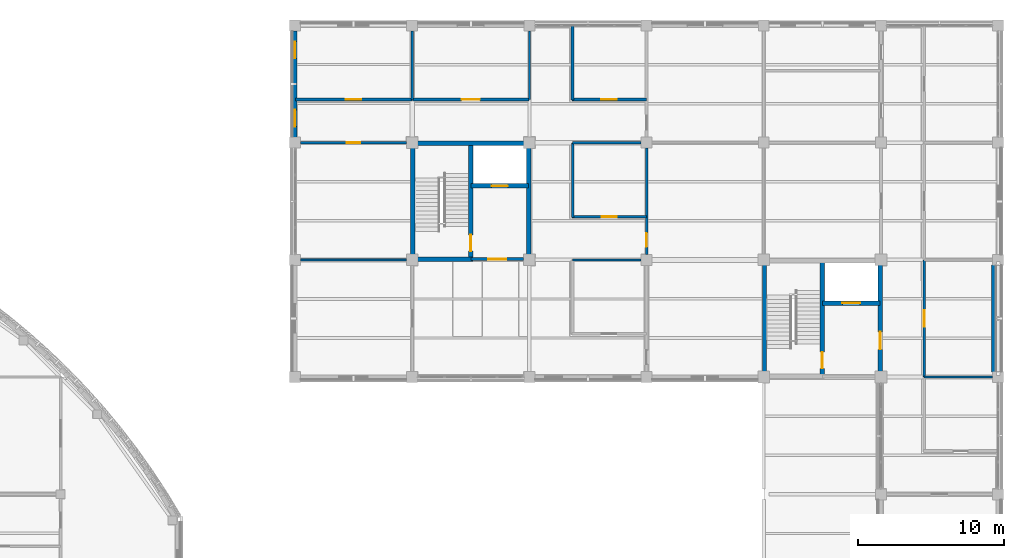
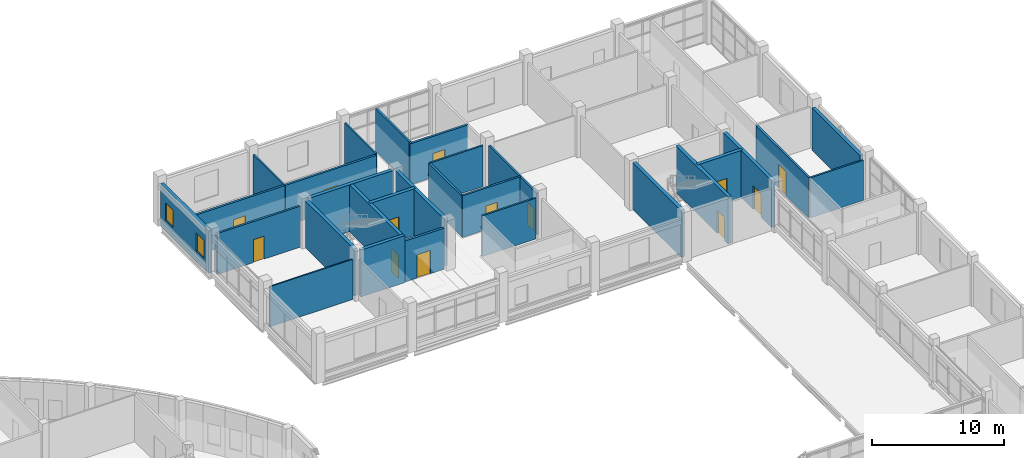
# One storey, part 96 of 121: 28 walls, 13 doors, 2 windows, 15 openings.
"""IFC4 building model written with IfcOpenShell, lengths in metres."""

from ifc_helpers import new_model, si_unit, derived_unit, direction, frame, frame_2d, origin, place, context, subcontext, project, spatial, rectangle, extrude, material, layer, layer_set, type_object, element, fill, save


model = new_model("IFC4")

# Units and contexts
model_context = context("Model", 3, precision=1e-05, world=origin(), true_north=direction((0.0, 1.0)))
body_context = subcontext(model_context, "Body", "Model", "MODEL_VIEW")
ifc_project = project(units=[si_unit("LENGTHUNIT", "METRE"), si_unit("AREAUNIT", "SQUARE_METRE"), si_unit("VOLUMEUNIT", "CUBIC_METRE"), si_unit("PLANEANGLEUNIT", "RADIAN"), si_unit("MASSUNIT", "GRAM", prefix="KILO"), derived_unit("THERMALTRANSMITTANCEUNIT", [(si_unit("MASSUNIT", "GRAM", prefix="KILO"), 1), (si_unit("TIMEUNIT", "SECOND"), -3), (si_unit("THERMODYNAMICTEMPERATUREUNIT", "KELVIN"), -1)])], contexts=[model_context])

# Site, building, storey
site_placement = place(None, origin())
site = spatial("IfcSite", under=ifc_project, at=site_placement, CompositionType="ELEMENT")
building_placement = place(site_placement, origin())
building = spatial("IfcBuilding", under=site, at=building_placement, Name="Veyamyaing Civic Hall", CompositionType="ELEMENT")
storey_placement = place(building_placement, frame((0.0, 0.0, 5.280029296875)))
storey = spatial("IfcBuildingStorey", under=building, at=storey_placement, Name="L01", CompositionType="ELEMENT", Elevation=5.280029296875)

# Wall, openings, windows
ifc_material_1 = material(Name="Precast concrete C40/50", Category="concrete")
ifc_layer_1 = layer(ifc_material_1, 0.280029296875, Name="Precast concrete C40/50")
ifc_layer_set_1 = layer_set([ifc_layer_1], Name="Precast concrete C40/50")
wall_type_1 = type_object("IfcWallType", Name="WT-04", PredefinedType="SOLIDWALL", material=ifc_layer_set_1)
wall_1_placement = place(storey_placement, frame((128.0, 104.360107421875, 0.0), z_axis=(0.0, 0.0, 1.0), x_axis=(0.0, 1.0, 0.0)))
wall_1 = element("IfcWall", 1, at=wall_1_placement, inside=storey, type_object=wall_type_1, Name="Exterior facade wall WT-04 L01 W 17.14", PredefinedType="SOLIDWALL", context=body_context, shape_type="SweptSolid", body=[
    extrude(rectangle(XDim=7.27978515625, YDim=0.280029296875, at=frame_2d((3.639892578125, 0.0))), origin(), (0.0, 0.0, 1.0), 3.9140625),
])
opening_1_placement = place(wall_1_placement, frame((0.7353515625, 0.0, 0.949951171875)))
opening_1 = element("IfcOpeningElement", 2, at=opening_1_placement, cuts=wall_1, Name="Opening W-32", PredefinedType="OPENING", context=body_context, shape_type="SweptSolid", body=[
    extrude(rectangle(XDim=1.14990234375, YDim=1.64990234375, at=frame_2d((0.574951171875, 0.824951171875))), frame((0.0, 0.14990234375, 0.0), z_axis=(0.0, -1.0, 0.0), x_axis=(1.0, 0.0, 0.0)), (0.0, 0.0, 1.0), 0.300048828125),
])
opening_2_placement = place(wall_1_placement, frame((5.39453125, 0.0, 0.949951171875)))
opening_2 = element("IfcOpeningElement", 3, at=opening_2_placement, cuts=wall_1, Name="Opening W-32", PredefinedType="OPENING", context=body_context, shape_type="SweptSolid", body=[
    extrude(rectangle(XDim=1.14990234375, YDim=1.64990234375, at=frame_2d((0.574951171875, 0.824951171875))), frame((0.0, 0.14990234375, 0.0), z_axis=(0.0, -1.0, 0.0), x_axis=(1.0, 0.0, 0.0)), (0.0, 0.0, 1.0), 0.300048828125),
])
ifc_material_2 = material(Name="Low-E insulated glass", Category="glass")
window_type = type_object("IfcWindowType", Name="W-32", PartitioningType="SINGLE_PANEL", PredefinedType="WINDOW", material=ifc_material_2)
window_1_placement = place(opening_1_placement, origin())
window_1 = element("IfcWindow", 4, at=window_1_placement, inside=storey, type_object=window_type, Name="Facade window W-32 L01 W 17.14.1", OverallHeight=1.64990234375, OverallWidth=1.14990234375, PartitioningType="SINGLE_PANEL", PredefinedType="WINDOW", context=body_context, shape_type="SweptSolid", body=[
    extrude(rectangle(XDim=1.14990234375, YDim=1.64990234375, at=frame_2d((0.574951171875, 0.824951171875))), frame((0.0, 0.030029296875, 0.0), z_axis=(0.0, -1.0, 0.0), x_axis=(1.0, 0.0, 0.0)), (0.0, 0.0, 1.0), 0.06005859375),
])
fill(opening_1, window_1)
window_2_placement = place(opening_2_placement, origin())
window_2 = element("IfcWindow", 5, at=window_2_placement, inside=storey, type_object=window_type, Name="Facade window W-32 L01 W 17.14.2", OverallHeight=1.64990234375, OverallWidth=1.14990234375, PartitioningType="SINGLE_PANEL", PredefinedType="WINDOW", context=body_context, shape_type="SweptSolid", body=[
    extrude(rectangle(XDim=1.14990234375, YDim=1.64990234375, at=frame_2d((0.574951171875, 0.824951171875))), frame((0.0, 0.030029296875, 0.0), z_axis=(0.0, -1.0, 0.0), x_axis=(1.0, 0.0, 0.0)), (0.0, 0.0, 1.0), 0.06005859375),
])
fill(opening_2, window_2)

# Walls
wall_2_placement = place(storey_placement, frame((175.699951171875, 88.360107421875, 0.0), z_axis=(0.0, 0.0, 1.0), x_axis=(0.0, 1.0, 0.0)))
element("IfcWall", 6, at=wall_2_placement, inside=storey, type_object=wall_type_1, Name="Exterior facade wall WT-04 L01 E 22.12", PredefinedType="SOLIDWALL", context=body_context, shape_type="SweptSolid", body=[
    extrude(rectangle(XDim=7.27978515625, YDim=0.280029296875, at=frame_2d((3.639892578125, 0.0))), origin(), (0.0, 0.0, 1.0), 3.9140625),
])
ifc_material_3 = material(Name="Concrete C40/50", Category="concrete")
ifc_layer_2 = layer(ifc_material_3, 0.300048828125, Name="Concrete C40/50")
ifc_layer_set_2 = layer_set([ifc_layer_2], Name="Concrete C40/50")
wall_type_2 = type_object("IfcWallType", Name="WT-05", PredefinedType="SHEAR", material=ifc_layer_set_2)
wall_3_placement = place(storey_placement, frame((160.050048828125, 88.2900390625, 0.0), z_axis=(0.0, 0.0, 1.0), x_axis=(0.0, 1.0, 0.0)))
element("IfcWall", 7, at=wall_3_placement, inside=storey, type_object=wall_type_2, Name="Core shear wall WT-05 CORE-3 L01.W", PredefinedType="SHEAR", context=body_context, shape_type="SweptSolid", body=[
    extrude(rectangle(XDim=7.419921875, YDim=0.300048828125, at=frame_2d((3.7099609375, 0.0))), origin(), (0.0, 0.0, 1.0), 4.3349609375),
])

# Wall, opening, door
wall_4_placement = place(storey_placement, frame((167.949951171875, 88.2900390625, 0.0), z_axis=(0.0, 0.0, 1.0), x_axis=(0.0, 1.0, 0.0)))
wall_4 = element("IfcWall", 8, at=wall_4_placement, inside=storey, type_object=wall_type_2, Name="Core shear wall WT-05 CORE-3 L01.E", PredefinedType="SHEAR", context=body_context, shape_type="SweptSolid", body=[
    extrude(rectangle(XDim=7.419921875, YDim=0.300048828125, at=frame_2d((3.7099609375, 0.0))), origin(), (0.0, 0.0, 1.0), 4.3349609375),
])
opening_3_placement = place(wall_4_placement, frame((1.60009765625, 0.0, 0.0)))
opening_3 = element("IfcOpeningElement", 9, at=opening_3_placement, cuts=wall_4, Name="Opening D-04", PredefinedType="OPENING", context=body_context, shape_type="SweptSolid", body=[
    extrude(rectangle(XDim=1.199951171875, YDim=2.14990234375, at=frame_2d((0.60009765625, 1.074951171875))), frame((0.0, 0.159912109375, 0.0), z_axis=(0.0, -1.0, 0.0), x_axis=(1.0, 0.0, 0.0)), (0.0, 0.0, 1.0), 0.320068359375),
])
ifc_material_4 = material(Name="Galvanized steel S355J2", Category="steel")
door_type_1 = type_object("IfcDoorType", Name="D-04", OperationType="NOTDEFINED", PredefinedType="DOOR", material=ifc_material_4)
door_1_placement = place(opening_3_placement, frame((1.199951171875, 0.0, 0.0), z_axis=(0.0, 0.0, 1.0), x_axis=(-1.0, 0.0, 0.0)))
door_1 = element("IfcDoor", 10, at=door_1_placement, inside=storey, type_object=door_type_1, Name="Protected lobby fire door D-04 CORE-3 L01", OperationType="SINGLE_SWING_RIGHT", OverallHeight=2.14990234375, OverallWidth=1.199951171875, PredefinedType="DOOR", context=body_context, shape_type="SweptSolid", body=[
    extrude(rectangle(XDim=1.199951171875, YDim=2.14990234375, at=frame_2d((0.60009765625, 1.074951171875))), frame((0.0, 0.02490234375, 0.0), z_axis=(0.0, -1.0, 0.0), x_axis=(1.0, 0.0, 0.0)), (0.0, 0.0, 1.0), 0.050048828125),
])
fill(opening_3, door_1)

wall_5_placement = place(storey_placement, frame((164.0, 88.050048828125, 0.0), z_axis=(0.0, 0.0, 1.0), x_axis=(0.0, 1.0, 0.0)))
wall_5 = element("IfcWall", 11, at=wall_5_placement, inside=storey, type_object=wall_type_2, Name="Core shear wall WT-05 CORE-3 L01.MID", PredefinedType="SHEAR", context=body_context, shape_type="SweptSolid", body=[
    extrude(rectangle(XDim=7.89990234375, YDim=0.300048828125, at=frame_2d((3.949951171875, 0.0))), origin(), (0.0, 0.0, 1.0), 4.3349609375),
])
opening_4_placement = place(wall_5_placement, frame((0.550048828125, 0.0, 0.0)))
opening_4 = element("IfcOpeningElement", 12, at=opening_4_placement, cuts=wall_5, Name="Opening D-03", PredefinedType="OPENING", context=body_context, shape_type="SweptSolid", body=[
    extrude(rectangle(XDim=1.10009765625, YDim=2.14990234375, at=frame_2d((0.550048828125, 1.074951171875))), frame((0.0, 0.159912109375, 0.0), z_axis=(0.0, -1.0, 0.0), x_axis=(1.0, 0.0, 0.0)), (0.0, 0.0, 1.0), 0.320068359375),
])
door_type_2 = type_object("IfcDoorType", Name="D-03", OperationType="NOTDEFINED", PredefinedType="DOOR", material=ifc_material_4)
door_2_placement = place(opening_4_placement, origin())
door_2 = element("IfcDoor", 13, at=door_2_placement, inside=storey, type_object=door_type_2, Name="Exit stair fire door D-03 ST-03 L01", OperationType="SINGLE_SWING_LEFT", OverallHeight=2.14990234375, OverallWidth=1.10009765625, PredefinedType="DOOR", context=body_context, shape_type="SweptSolid", body=[
    extrude(rectangle(XDim=1.10009765625, YDim=2.14990234375, at=frame_2d((0.550048828125, 1.074951171875))), frame((0.0, 0.02490234375, 0.0), z_axis=(0.0, -1.0, 0.0), x_axis=(1.0, 0.0, 0.0)), (0.0, 0.0, 1.0), 0.050048828125),
])
fill(opening_4, door_2)

wall_6_placement = place(storey_placement, frame((164.0, 93.050048828125, 0.0), z_axis=(0.0, 0.0, 1.0), x_axis=(1.0, 0.0, 0.0)))
wall_6 = element("IfcWall", 14, at=wall_6_placement, inside=storey, type_object=wall_type_2, Name="Core shear wall WT-05 CORE-3 L01.LFT", PredefinedType="SHEAR", context=body_context, shape_type="SweptSolid", body=[
    extrude(rectangle(XDim=3.949951171875, YDim=0.300048828125, at=frame_2d((1.97509765625, 0.0))), origin(), (0.0, 0.0, 1.0), 4.3349609375),
])
opening_5_placement = place(wall_6_placement, frame((1.375, 0.0, 0.0)))
opening_5 = element("IfcOpeningElement", 15, at=opening_5_placement, cuts=wall_6, Name="Opening LD-02", PredefinedType="OPENING", context=body_context, shape_type="SweptSolid", body=[
    extrude(rectangle(XDim=1.199951171875, YDim=2.199951171875, at=frame_2d((0.60009765625, 1.10009765625))), frame((0.0, 0.159912109375, 0.0), z_axis=(0.0, -1.0, 0.0), x_axis=(1.0, 0.0, 0.0)), (0.0, 0.0, 1.0), 0.320068359375),
])
door_type_3 = type_object("IfcDoorType", Name="LD-02", OperationType="SLIDING_TO_LEFT", PredefinedType="DOOR", material=ifc_material_4)
door_3_placement = place(opening_5_placement, origin())
door_3 = element("IfcDoor", 16, at=door_3_placement, inside=storey, type_object=door_type_3, Name="Lift sliding landing door LD-02 FL-02 L01", OperationType="SLIDING_TO_LEFT", OverallHeight=2.199951171875, OverallWidth=1.199951171875, PredefinedType="DOOR", context=body_context, shape_type="SweptSolid", body=[
    extrude(rectangle(XDim=1.199951171875, YDim=2.199951171875, at=frame_2d((0.60009765625, 1.10009765625))), frame((0.0, 0.02490234375, 0.0), z_axis=(0.0, -1.0, 0.0), x_axis=(1.0, 0.0, 0.0)), (0.0, 0.0, 1.0), 0.050048828125),
])
fill(opening_5, door_3)

# Walls
for number, where, z_axis, x_axis, name in (
    (17, (136.050048828125, 96.2900390625, 0.0), (0.0, 0.0, 1.0), (0.0, 1.0, 0.0), "Core shear wall WT-05 CORE-4 L01.W"),
    (18, (136.2900390625, 103.949951171875, 0.0), (0.0, 0.0, 1.0), (1.0, 0.0, 0.0), "Core shear wall WT-05 CORE-4 L01.N"),
    (19, (143.949951171875, 96.2900390625, 0.0), (0.0, 0.0, 1.0), (0.0, 1.0, 0.0), "Core shear wall WT-05 CORE-4 L01.E"),
):
    element("IfcWall", number, at=place(storey_placement, frame(where, z_axis=z_axis, x_axis=x_axis)), inside=storey, type_object=wall_type_2, Name=name, PredefinedType="SHEAR", context=body_context, shape_type="SweptSolid", body=[
        extrude(rectangle(XDim=7.419921875, YDim=0.300048828125, at=frame_2d((3.7099609375, 0.0))), origin(), (0.0, 0.0, 1.0), 4.3349609375),
    ])
wall_7_placement = place(storey_placement, frame((136.2900390625, 96.050048828125, 0.0), z_axis=(0.0, 0.0, 1.0), x_axis=(1.0, 0.0, 0.0)))
element("IfcWall", 20, at=wall_7_placement, inside=storey, type_object=wall_type_2, Name="Core shear wall WT-05 CORE-4 L01.SS", PredefinedType="SHEAR", context=body_context, shape_type="SweptSolid", body=[
    extrude(rectangle(XDim=3.85986328125, YDim=0.300048828125, at=frame_2d((1.929931640625, 0.0))), origin(), (0.0, 0.0, 1.0), 4.3349609375),
])

# Wall, opening, door
wall_8_placement = place(storey_placement, frame((140.0, 96.050048828125, 0.0), z_axis=(0.0, 0.0, 1.0), x_axis=(0.0, 1.0, 0.0)))
wall_8 = element("IfcWall", 21, at=wall_8_placement, inside=storey, type_object=wall_type_2, Name="Core shear wall WT-05 CORE-4 L01.MID", PredefinedType="SHEAR", context=body_context, shape_type="SweptSolid", body=[
    extrude(rectangle(XDim=7.89990234375, YDim=0.300048828125, at=frame_2d((3.949951171875, 0.0))), origin(), (0.0, 0.0, 1.0), 4.3349609375),
])
opening_6_placement = place(wall_8_placement, frame((0.550048828125, 0.0, 0.0)))
opening_6 = element("IfcOpeningElement", 22, at=opening_6_placement, cuts=wall_8, Name="Opening D-03", PredefinedType="OPENING", context=body_context, shape_type="SweptSolid", body=[
    extrude(rectangle(XDim=1.10009765625, YDim=2.14990234375, at=frame_2d((0.550048828125, 1.074951171875))), frame((0.0, 0.159912109375, 0.0), z_axis=(0.0, -1.0, 0.0), x_axis=(1.0, 0.0, 0.0)), (0.0, 0.0, 1.0), 0.320068359375),
])
door_4_placement = place(opening_6_placement, origin())
door_4 = element("IfcDoor", 23, at=door_4_placement, inside=storey, type_object=door_type_2, Name="Exit stair fire door D-03 ST-04 L01", OperationType="SINGLE_SWING_LEFT", OverallHeight=2.14990234375, OverallWidth=1.10009765625, PredefinedType="DOOR", context=body_context, shape_type="SweptSolid", body=[
    extrude(rectangle(XDim=1.10009765625, YDim=2.14990234375, at=frame_2d((0.550048828125, 1.074951171875))), frame((0.0, 0.02490234375, 0.0), z_axis=(0.0, -1.0, 0.0), x_axis=(1.0, 0.0, 0.0)), (0.0, 0.0, 1.0), 0.050048828125),
])
fill(opening_6, door_4)

wall_9_placement = place(storey_placement, frame((140.0, 101.050048828125, 0.0), z_axis=(0.0, 0.0, 1.0), x_axis=(1.0, 0.0, 0.0)))
wall_9 = element("IfcWall", 24, at=wall_9_placement, inside=storey, type_object=wall_type_2, Name="Core shear wall WT-05 CORE-4 L01.LFT", PredefinedType="SHEAR", context=body_context, shape_type="SweptSolid", body=[
    extrude(rectangle(XDim=3.949951171875, YDim=0.300048828125, at=frame_2d((1.97509765625, 0.0))), origin(), (0.0, 0.0, 1.0), 4.3349609375),
])
opening_7_placement = place(wall_9_placement, frame((1.425048828125, 0.0, 0.0)))
opening_7 = element("IfcOpeningElement", 25, at=opening_7_placement, cuts=wall_9, Name="Opening LD-01", PredefinedType="OPENING", context=body_context, shape_type="SweptSolid", body=[
    extrude(rectangle(XDim=1.10009765625, YDim=2.199951171875, at=frame_2d((0.550048828125, 1.10009765625))), frame((0.0, 0.159912109375, 0.0), z_axis=(0.0, -1.0, 0.0), x_axis=(1.0, 0.0, 0.0)), (0.0, 0.0, 1.0), 0.320068359375),
])
ifc_material_5 = material(Name="Anodised aluminium 6063-T6", Category="aluminium")
door_type_4 = type_object("IfcDoorType", Name="LD-01", OperationType="SLIDING_TO_LEFT", PredefinedType="DOOR", material=ifc_material_5)
door_5_placement = place(opening_7_placement, origin())
door_5 = element("IfcDoor", 26, at=door_5_placement, inside=storey, type_object=door_type_4, Name="Lift sliding landing door LD-01 PL-02 L01", OperationType="SLIDING_TO_LEFT", OverallHeight=2.199951171875, OverallWidth=1.10009765625, PredefinedType="DOOR", context=body_context, shape_type="SweptSolid", body=[
    extrude(rectangle(XDim=1.10009765625, YDim=2.199951171875, at=frame_2d((0.550048828125, 1.10009765625))), frame((0.0, 0.02490234375, 0.0), z_axis=(0.0, -1.0, 0.0), x_axis=(1.0, 0.0, 0.0)), (0.0, 0.0, 1.0), 0.050048828125),
])
fill(opening_7, door_5)

ifc_layer_3 = layer(ifc_material_3, 0.199951171875, Name="Concrete C40/50")
ifc_layer_set_3 = layer_set([ifc_layer_3], Name="Concrete C40/50")
wall_type_3 = type_object("IfcWallType", Name="WT-06", PredefinedType="PARTITIONING", material=ifc_layer_set_3)
wall_10_placement = place(storey_placement, frame((140.0, 96.050048828125, 0.0), z_axis=(0.0, 0.0, 1.0), x_axis=(1.0, 0.0, 0.0)))
wall_10 = element("IfcWall", 27, at=wall_10_placement, inside=storey, type_object=wall_type_3, Name="Firefighting lift lobby wall WT-06 CORE-4 L01", PredefinedType="PARTITIONING", context=body_context, shape_type="SweptSolid", body=[
    extrude(rectangle(XDim=3.610107421875, YDim=0.199951171875, at=frame_2d((1.80517578125, 0.0))), origin(), (0.0, 0.0, 1.0), 3.786865234375),
])
opening_8_placement = place(wall_10_placement, frame((1.205078125, 0.0, 0.0)))
opening_8 = element("IfcOpeningElement", 28, at=opening_8_placement, cuts=wall_10, Name="Opening D-04", PredefinedType="OPENING", context=body_context, shape_type="SweptSolid", body=[
    extrude(rectangle(XDim=1.199951171875, YDim=2.14990234375, at=frame_2d((0.60009765625, 1.074951171875))), frame((0.0, 0.10986328125, 0.0), z_axis=(0.0, -1.0, 0.0), x_axis=(1.0, 0.0, 0.0)), (0.0, 0.0, 1.0), 0.219970703125),
])
door_6_placement = place(opening_8_placement, frame((1.199951171875, 0.0, 0.0), z_axis=(0.0, 0.0, 1.0), x_axis=(-1.0, 0.0, 0.0)))
door_6 = element("IfcDoor", 29, at=door_6_placement, inside=storey, type_object=door_type_1, Name="Protected lobby fire door D-04 CORE-4 L01", OperationType="SINGLE_SWING_RIGHT", OverallHeight=2.14990234375, OverallWidth=1.199951171875, PredefinedType="DOOR", context=body_context, shape_type="SweptSolid", body=[
    extrude(rectangle(XDim=1.199951171875, YDim=2.14990234375, at=frame_2d((0.60009765625, 1.074951171875))), frame((0.0, 0.02490234375, 0.0), z_axis=(0.0, -1.0, 0.0), x_axis=(1.0, 0.0, 0.0)), (0.0, 0.0, 1.0), 0.050048828125),
])
fill(opening_8, door_6)

ifc_material_6 = material(Name="Gypsum board on acoustic steel stud", Category="steel")
ifc_layer_4 = layer(ifc_material_6, 0.175048828125, Name="Gypsum board on acoustic steel stud")
ifc_layer_set_4 = layer_set([ifc_layer_4], Name="Gypsum board on acoustic steel stud")
wall_type_4 = type_object("IfcWallType", Name="WT-07", PredefinedType="PARTITIONING", material=ifc_layer_set_4)
wall_11_placement = place(storey_placement, frame((146.89990234375, 98.949951171875, 0.0), z_axis=(0.0, 0.0, 1.0), x_axis=(1.0, 0.0, 0.0)))
wall_11 = element("IfcWall", 30, at=wall_11_placement, inside=storey, type_object=wall_type_4, Name="Corridor gallery partition WT-07 L01.71.1", PredefinedType="PARTITIONING", context=body_context, shape_type="SweptSolid", body=[
    extrude(rectangle(XDim=5.080078125, YDim=0.175048828125, at=frame_2d((2.5400390625, 0.0))), origin(), (0.0, 0.0, 1.0), 3.85107421875),
])
opening_9_placement = place(wall_11_placement, frame((2.030029296875, 0.0, 0.0)))
opening_9 = element("IfcOpeningElement", 31, at=opening_9_placement, cuts=wall_11, Name="Opening D-19", PredefinedType="OPENING", context=body_context, shape_type="SweptSolid", body=[
    extrude(rectangle(XDim=1.02001953125, YDim=2.199951171875, at=frame_2d((0.510009765625, 1.10009765625))), frame((0.0, 0.097412109375, 0.0), z_axis=(0.0, -1.0, 0.0), x_axis=(1.0, 0.0, 0.0)), (0.0, 0.0, 1.0), 0.195068359375),
])
ifc_material_7 = material(Name="Teak-veneered acoustic timber", Category="wood")
door_type_5 = type_object("IfcDoorType", Name="D-19", OperationType="NOTDEFINED", PredefinedType="DOOR", material=ifc_material_7)
door_7_placement = place(opening_9_placement, origin())
door_7 = element("IfcDoor", 32, at=door_7_placement, inside=storey, type_object=door_type_5, Name="Gallery office door D-19 L01.71", OperationType="SINGLE_SWING_LEFT", OverallHeight=2.199951171875, OverallWidth=1.02001953125, PredefinedType="DOOR", context=body_context, shape_type="SweptSolid", body=[
    extrude(rectangle(XDim=1.02001953125, YDim=2.199951171875, at=frame_2d((0.510009765625, 1.10009765625))), frame((0.0, 0.02490234375, 0.0), z_axis=(0.0, -1.0, 0.0), x_axis=(1.0, 0.0, 0.0)), (0.0, 0.0, 1.0), 0.050048828125),
])
fill(opening_9, door_7)

# Wall
wall_12_placement = place(storey_placement, frame((146.949951171875, 98.89990234375, 0.0), z_axis=(0.0, 0.0, 1.0), x_axis=(0.0, 1.0, 0.0)))
element("IfcWall", 33, at=wall_12_placement, inside=storey, type_object=wall_type_4, Name="Corridor gallery partition WT-07 L01.71.2", PredefinedType="PARTITIONING", context=body_context, shape_type="SweptSolid", body=[
    extrude(rectangle(XDim=5.080078125, YDim=0.175048828125, at=frame_2d((2.5400390625, 0.0))), origin(), (0.0, 0.0, 1.0), 3.781005859375),
])

# Wall, opening, door
wall_13_placement = place(storey_placement, frame((170.949951171875, 88.02001953125, 0.0), z_axis=(0.0, 0.0, 1.0), x_axis=(0.0, 1.0, 0.0)))
wall_13 = element("IfcWall", 34, at=wall_13_placement, inside=storey, type_object=wall_type_4, Name="Corridor gallery partition WT-07 L01.85.1", PredefinedType="PARTITIONING", context=body_context, shape_type="SweptSolid", body=[
    extrude(rectangle(XDim=7.9599609375, YDim=0.175048828125, at=frame_2d((3.97998046875, 0.0))), origin(), (0.0, 0.0, 1.0), 3.7119140625),
])
opening_10_placement = place(wall_13_placement, frame((3.419921875, 0.0, 0.0)))
opening_10 = element("IfcOpeningElement", 35, at=opening_10_placement, cuts=wall_13, Name="Opening D-26", PredefinedType="OPENING", context=body_context, shape_type="SweptSolid", body=[
    extrude(rectangle(XDim=1.1201171875, YDim=2.219970703125, at=frame_2d((0.56005859375, 1.10986328125))), frame((0.0, 0.097412109375, 0.0), z_axis=(0.0, -1.0, 0.0), x_axis=(1.0, 0.0, 0.0)), (0.0, 0.0, 1.0), 0.195068359375),
])
door_type_6 = type_object("IfcDoorType", Name="D-26", OperationType="NOTDEFINED", PredefinedType="DOOR", material=ifc_material_7)
door_8_placement = place(opening_10_placement, frame((1.1201171875, 0.0, 0.0), z_axis=(0.0, 0.0, 1.0), x_axis=(-1.0, 0.0, 0.0)))
door_8 = element("IfcDoor", 36, at=door_8_placement, inside=storey, type_object=door_type_6, Name="Gallery office door D-26 L01.85", OperationType="SINGLE_SWING_LEFT", OverallHeight=2.219970703125, OverallWidth=1.1201171875, PredefinedType="DOOR", context=body_context, shape_type="SweptSolid", body=[
    extrude(rectangle(XDim=1.1201171875, YDim=2.219970703125, at=frame_2d((0.56005859375, 1.10986328125))), frame((0.0, 0.02490234375, 0.0), z_axis=(0.0, -1.0, 0.0), x_axis=(1.0, 0.0, 0.0)), (0.0, 0.0, 1.0), 0.050048828125),
])
fill(opening_10, door_8)

wall_14_placement = place(storey_placement, frame((128.364990234375, 104.0, 0.0), z_axis=(0.0, 0.0, 1.0), x_axis=(1.0, 0.0, 0.0)))
wall_14 = element("IfcWall", 37, at=wall_14_placement, inside=storey, type_object=wall_type_4, Name="Interior partition wall WT-07 L01.97", PredefinedType="PARTITIONING", context=body_context, shape_type="SweptSolid", body=[
    extrude(rectangle(XDim=7.2451171875, YDim=0.175048828125, at=frame_2d((3.62255859375, 0.0))), origin(), (0.0, 0.0, 1.0), 3.786865234375),
])
opening_11_placement = place(wall_14_placement, frame((3.152587890625, 0.0, 0.0)))
opening_11 = element("IfcOpeningElement", 38, at=opening_11_placement, cuts=wall_14, Name="Opening D-30", PredefinedType="OPENING", context=body_context, shape_type="SweptSolid", body=[
    extrude(rectangle(XDim=0.93994140625, YDim=2.1201171875, at=frame_2d((0.469970703125, 1.06005859375))), frame((0.0, 0.097412109375, 0.0), z_axis=(0.0, -1.0, 0.0), x_axis=(1.0, 0.0, 0.0)), (0.0, 0.0, 1.0), 0.195068359375),
])
door_type_7 = type_object("IfcDoorType", Name="D-30", OperationType="NOTDEFINED", PredefinedType="DOOR", material=ifc_material_7)
door_9_placement = place(opening_11_placement, frame((0.93994140625, 0.0, 0.0), z_axis=(0.0, 0.0, 1.0), x_axis=(-1.0, 0.0, 0.0)))
door_9 = element("IfcDoor", 39, at=door_9_placement, inside=storey, type_object=door_type_7, Name="Interior door D-30 L01.97", OperationType="SINGLE_SWING_RIGHT", OverallHeight=2.1201171875, OverallWidth=0.93994140625, PredefinedType="DOOR", context=body_context, shape_type="SweptSolid", body=[
    extrude(rectangle(XDim=0.93994140625, YDim=2.1201171875, at=frame_2d((0.469970703125, 1.06005859375))), frame((0.0, 0.02490234375, 0.0), z_axis=(0.0, -1.0, 0.0), x_axis=(1.0, 0.0, 0.0)), (0.0, 0.0, 1.0), 0.050048828125),
])
fill(opening_11, door_9)

wall_15_placement = place(storey_placement, frame((152.0, 96.364990234375, 0.0), z_axis=(0.0, 0.0, 1.0), x_axis=(0.0, 1.0, 0.0)))
wall_15 = element("IfcWall", 40, at=wall_15_placement, inside=storey, type_object=wall_type_4, Name="Interior partition wall WT-07 L01.101", PredefinedType="PARTITIONING", context=body_context, shape_type="SweptSolid", body=[
    extrude(rectangle(XDim=7.27001953125, YDim=0.175048828125, at=frame_2d((3.635009765625, 0.0))), origin(), (0.0, 0.0, 1.0), 3.85107421875),
])
opening_12_placement = place(wall_15_placement, frame((0.52001953125, 0.0, 0.0)))
opening_12 = element("IfcOpeningElement", 41, at=opening_12_placement, cuts=wall_15, Name="Opening D-30", PredefinedType="OPENING", context=body_context, shape_type="SweptSolid", body=[
    extrude(rectangle(XDim=0.93994140625, YDim=2.1201171875, at=frame_2d((0.469970703125, 1.06005859375))), frame((0.0, 0.097412109375, 0.0), z_axis=(0.0, -1.0, 0.0), x_axis=(1.0, 0.0, 0.0)), (0.0, 0.0, 1.0), 0.195068359375),
])
door_10_placement = place(opening_12_placement, frame((0.93994140625, 0.0, 0.0), z_axis=(0.0, 0.0, 1.0), x_axis=(-1.0, 0.0, 0.0)))
door_10 = element("IfcDoor", 42, at=door_10_placement, inside=storey, type_object=door_type_7, Name="Interior door D-30 L01.101", OperationType="SINGLE_SWING_RIGHT", OverallHeight=2.1201171875, OverallWidth=0.93994140625, PredefinedType="DOOR", context=body_context, shape_type="SweptSolid", body=[
    extrude(rectangle(XDim=0.93994140625, YDim=2.1201171875, at=frame_2d((0.469970703125, 1.06005859375))), frame((0.0, 0.02490234375, 0.0), z_axis=(0.0, -1.0, 0.0), x_axis=(1.0, 0.0, 0.0)), (0.0, 0.0, 1.0), 0.050048828125),
])
fill(opening_12, door_10)

# Walls
ifc_material_8 = material(Name="Gypsum board on steel stud", Category="steel")
ifc_layer_5 = layer(ifc_material_8, 0.14990234375, Name="Gypsum board on steel stud")
ifc_layer_set_5 = layer_set([ifc_layer_5], Name="Gypsum board on steel stud")
wall_type_5 = type_object("IfcWallType", Name="WT-08", PredefinedType="PARTITIONING", material=ifc_layer_set_5)
wall_16_placement = place(storey_placement, frame((136.0, 106.949951171875, 0.0), z_axis=(0.0, 0.0, 1.0), x_axis=(0.0, 1.0, 0.0)))
element("IfcWall", 43, at=wall_16_placement, inside=storey, type_object=wall_type_5, Name="Gallery office end partition WT-08 L01.62.2", PredefinedType="PARTITIONING", context=body_context, shape_type="SweptSolid", body=[
    extrude(rectangle(XDim=4.6650390625, YDim=0.14990234375, at=frame_2d((2.33251953125, 0.0))), origin(), (0.0, 0.0, 1.0), 3.781005859375),
])
wall_17_placement = place(storey_placement, frame((144.0, 106.949951171875, 0.0), z_axis=(0.0, 0.0, 1.0), x_axis=(0.0, 1.0, 0.0)))
element("IfcWall", 44, at=wall_17_placement, inside=storey, type_object=wall_type_5, Name="Gallery office end partition WT-08 L01.66.2", PredefinedType="PARTITIONING", context=body_context, shape_type="SweptSolid", body=[
    extrude(rectangle(XDim=4.6650390625, YDim=0.14990234375, at=frame_2d((2.33251953125, 0.0))), origin(), (0.0, 0.0, 1.0), 3.89599609375),
])
wall_18_placement = place(storey_placement, frame((146.949951171875, 96.0, 0.0), z_axis=(0.0, 0.0, 1.0), x_axis=(1.0, 0.0, 0.0)))
element("IfcWall", 45, at=wall_18_placement, inside=storey, type_object=wall_type_5, Name="Gallery office end partition WT-08 L01.70.1", PredefinedType="PARTITIONING", context=body_context, shape_type="SweptSolid", body=[
    extrude(rectangle(XDim=4.6650390625, YDim=0.14990234375, at=frame_2d((2.33251953125, 0.0))), origin(), (0.0, 0.0, 1.0), 3.77099609375),
])
wall_19_placement = place(storey_placement, frame((146.949951171875, 104.0, 0.0), z_axis=(0.0, 0.0, 1.0), x_axis=(1.0, 0.0, 0.0)))
element("IfcWall", 46, at=wall_19_placement, inside=storey, type_object=wall_type_5, Name="Gallery office end partition WT-08 L01.71.1", PredefinedType="PARTITIONING", context=body_context, shape_type="SweptSolid", body=[
    extrude(rectangle(XDim=4.6650390625, YDim=0.14990234375, at=frame_2d((2.33251953125, 0.0))), origin(), (0.0, 0.0, 1.0), 3.781005859375),
])
wall_20_placement = place(storey_placement, frame((170.949951171875, 88.0, 0.0), z_axis=(0.0, 0.0, 1.0), x_axis=(1.0, 0.0, 0.0)))
element("IfcWall", 47, at=wall_20_placement, inside=storey, type_object=wall_type_5, Name="Gallery office end partition WT-08 L01.84.1", PredefinedType="PARTITIONING", context=body_context, shape_type="SweptSolid", body=[
    extrude(rectangle(XDim=4.6650390625, YDim=0.14990234375, at=frame_2d((2.33251953125, 0.0))), origin(), (0.0, 0.0, 1.0), 3.7119140625),
])
ifc_layer_6 = layer(ifc_material_8, 0.1201171875, Name="Gypsum board on steel stud")
ifc_layer_set_6 = layer_set([ifc_layer_6], Name="Gypsum board on steel stud")
wall_type_6 = type_object("IfcWallType", Name="WT-16", PredefinedType="PARTITIONING", material=ifc_layer_set_6)
wall_21_placement = place(storey_placement, frame((128.364990234375, 96.0, 0.0), z_axis=(0.0, 0.0, 1.0), x_axis=(1.0, 0.0, 0.0)))
element("IfcWall", 48, at=wall_21_placement, inside=storey, type_object=wall_type_6, Name="Interior partition wall WT-16 L01.96", PredefinedType="PARTITIONING", context=body_context, shape_type="SweptSolid", body=[
    extrude(rectangle(XDim=7.2451171875, YDim=0.1201171875, at=frame_2d((3.62255859375, 0.0))), origin(), (0.0, 0.0, 1.0), 3.7119140625),
])

# Wall, opening, door
ifc_material_9 = material(Name="Gypsum board on double acoustic stud")
ifc_layer_7 = layer(ifc_material_9, 0.18505859375, Name="Gypsum board on double acoustic stud")
ifc_layer_set_7 = layer_set([ifc_layer_7], Name="Gypsum board on double acoustic stud")
wall_type_7 = type_object("IfcWallType", Name="WT-19", PredefinedType="PARTITIONING", material=ifc_layer_set_7)
wall_22_placement = place(storey_placement, frame((128.02001953125, 106.949951171875, 0.0), z_axis=(0.0, 0.0, 1.0), x_axis=(1.0, 0.0, 0.0)))
wall_22 = element("IfcWall", 49, at=wall_22_placement, inside=storey, type_object=wall_type_7, Name="Corridor gallery partition WT-19 L01.62.1", PredefinedType="PARTITIONING", context=body_context, shape_type="SweptSolid", body=[
    extrude(rectangle(XDim=7.9599609375, YDim=0.18505859375, at=frame_2d((3.97998046875, 0.0))), origin(), (0.0, 0.0, 1.0), 3.781005859375),
])
opening_13_placement = place(wall_22_placement, frame((3.43994140625, 0.0, 0.0)))
opening_13 = element("IfcOpeningElement", 50, at=opening_13_placement, cuts=wall_22, Name="Opening D-23", PredefinedType="OPENING", context=body_context, shape_type="SweptSolid", body=[
    extrude(rectangle(XDim=1.080078125, YDim=2.199951171875, at=frame_2d((0.5400390625, 1.10009765625))), frame((0.0, 0.1025390625, 0.0), z_axis=(0.0, -1.0, 0.0), x_axis=(1.0, 0.0, 0.0)), (0.0, 0.0, 1.0), 0.205078125),
])
door_type_8 = type_object("IfcDoorType", Name="D-23", OperationType="NOTDEFINED", PredefinedType="DOOR", material=ifc_material_7)
door_11_placement = place(opening_13_placement, origin())
door_11 = element("IfcDoor", 51, at=door_11_placement, inside=storey, type_object=door_type_8, Name="Gallery office door D-23 L01.62", OperationType="SINGLE_SWING_RIGHT", OverallHeight=2.199951171875, OverallWidth=1.080078125, PredefinedType="DOOR", context=body_context, shape_type="SweptSolid", body=[
    extrude(rectangle(XDim=1.080078125, YDim=2.199951171875, at=frame_2d((0.5400390625, 1.10009765625))), frame((0.0, 0.02490234375, 0.0), z_axis=(0.0, -1.0, 0.0), x_axis=(1.0, 0.0, 0.0)), (0.0, 0.0, 1.0), 0.050048828125),
])
fill(opening_13, door_11)

wall_23_placement = place(storey_placement, frame((136.02001953125, 106.949951171875, 0.0), z_axis=(0.0, 0.0, 1.0), x_axis=(1.0, 0.0, 0.0)))
wall_23 = element("IfcWall", 52, at=wall_23_placement, inside=storey, type_object=wall_type_7, Name="Corridor gallery partition WT-19 L01.66.1", PredefinedType="PARTITIONING", context=body_context, shape_type="SweptSolid", body=[
    extrude(rectangle(XDim=7.9599609375, YDim=0.18505859375, at=frame_2d((3.97998046875, 0.0))), origin(), (0.0, 0.0, 1.0), 3.781005859375),
])
opening_14_placement = place(wall_23_placement, frame((3.35498046875, 0.0, 0.0)))
opening_14 = element("IfcOpeningElement", 53, at=opening_14_placement, cuts=wall_23, Name="Opening D-29", PredefinedType="OPENING", context=body_context, shape_type="SweptSolid", body=[
    extrude(rectangle(XDim=1.25, YDim=2.179931640625, at=frame_2d((0.625, 1.08984375))), frame((0.0, 0.1025390625, 0.0), z_axis=(0.0, -1.0, 0.0), x_axis=(1.0, 0.0, 0.0)), (0.0, 0.0, 1.0), 0.205078125),
])
door_type_9 = type_object("IfcDoorType", Name="D-29", OperationType="NOTDEFINED", PredefinedType="DOOR", material=ifc_material_7)
door_12_placement = place(opening_14_placement, origin())
door_12 = element("IfcDoor", 54, at=door_12_placement, inside=storey, type_object=door_type_9, Name="Gallery office door D-29 L01.66", OperationType="SINGLE_SWING_RIGHT", OverallHeight=2.179931640625, OverallWidth=1.25, PredefinedType="DOOR", context=body_context, shape_type="SweptSolid", body=[
    extrude(rectangle(XDim=1.25, YDim=2.179931640625, at=frame_2d((0.625, 1.08984375))), frame((0.0, 0.02490234375, 0.0), z_axis=(0.0, -1.0, 0.0), x_axis=(1.0, 0.0, 0.0)), (0.0, 0.0, 1.0), 0.050048828125),
])
fill(opening_14, door_12)

wall_24_placement = place(storey_placement, frame((146.89990234375, 106.949951171875, 0.0), z_axis=(0.0, 0.0, 1.0), x_axis=(1.0, 0.0, 0.0)))
wall_24 = element("IfcWall", 55, at=wall_24_placement, inside=storey, type_object=wall_type_7, Name="Corridor gallery partition WT-19 L01.72.1", PredefinedType="PARTITIONING", context=body_context, shape_type="SweptSolid", body=[
    extrude(rectangle(XDim=5.080078125, YDim=0.18505859375, at=frame_2d((2.5400390625, 0.0))), origin(), (0.0, 0.0, 1.0), 3.786865234375),
])
opening_15_placement = place(wall_24_placement, frame((2.0, 0.0, 0.0)))
opening_15 = element("IfcOpeningElement", 56, at=opening_15_placement, cuts=wall_24, Name="Opening D-23", PredefinedType="OPENING", context=body_context, shape_type="SweptSolid", body=[
    extrude(rectangle(XDim=1.080078125, YDim=2.199951171875, at=frame_2d((0.5400390625, 1.10009765625))), frame((0.0, 0.1025390625, 0.0), z_axis=(0.0, -1.0, 0.0), x_axis=(1.0, 0.0, 0.0)), (0.0, 0.0, 1.0), 0.205078125),
])
door_13_placement = place(opening_15_placement, origin())
door_13 = element("IfcDoor", 57, at=door_13_placement, inside=storey, type_object=door_type_8, Name="Gallery office door D-23 L01.72", OperationType="SINGLE_SWING_RIGHT", OverallHeight=2.199951171875, OverallWidth=1.080078125, PredefinedType="DOOR", context=body_context, shape_type="SweptSolid", body=[
    extrude(rectangle(XDim=1.080078125, YDim=2.199951171875, at=frame_2d((0.5400390625, 1.10009765625))), frame((0.0, 0.02490234375, 0.0), z_axis=(0.0, -1.0, 0.0), x_axis=(1.0, 0.0, 0.0)), (0.0, 0.0, 1.0), 0.050048828125),
])
fill(opening_15, door_13)

# Wall
wall_25_placement = place(storey_placement, frame((146.949951171875, 106.89990234375, 0.0), z_axis=(0.0, 0.0, 1.0), x_axis=(0.0, 1.0, 0.0)))
element("IfcWall", 58, at=wall_25_placement, inside=storey, type_object=wall_type_7, Name="Corridor gallery partition WT-19 L01.72.2", PredefinedType="PARTITIONING", context=body_context, shape_type="SweptSolid", body=[
    extrude(rectangle(XDim=5.080078125, YDim=0.18505859375, at=frame_2d((2.5400390625, 0.0))), origin(), (0.0, 0.0, 1.0), 3.968017578125),
])

save(model, "model.ifc")
